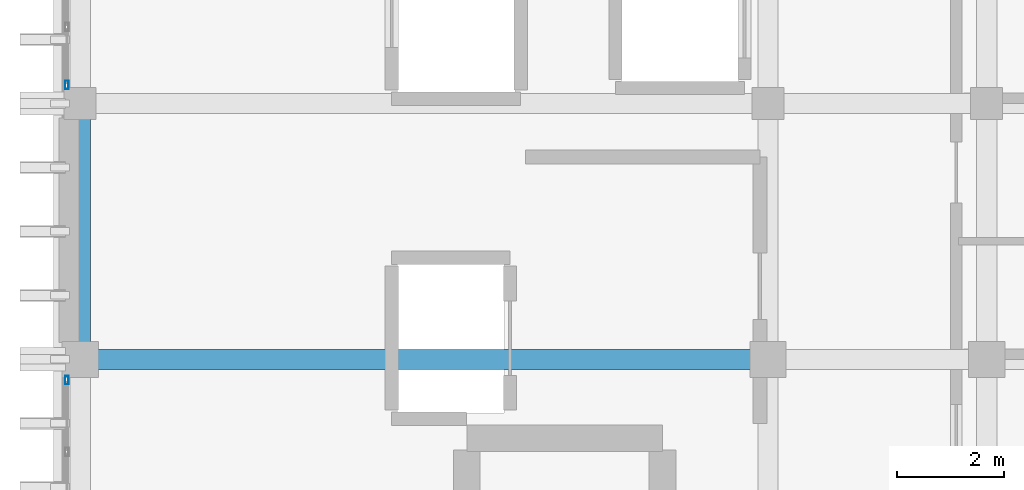
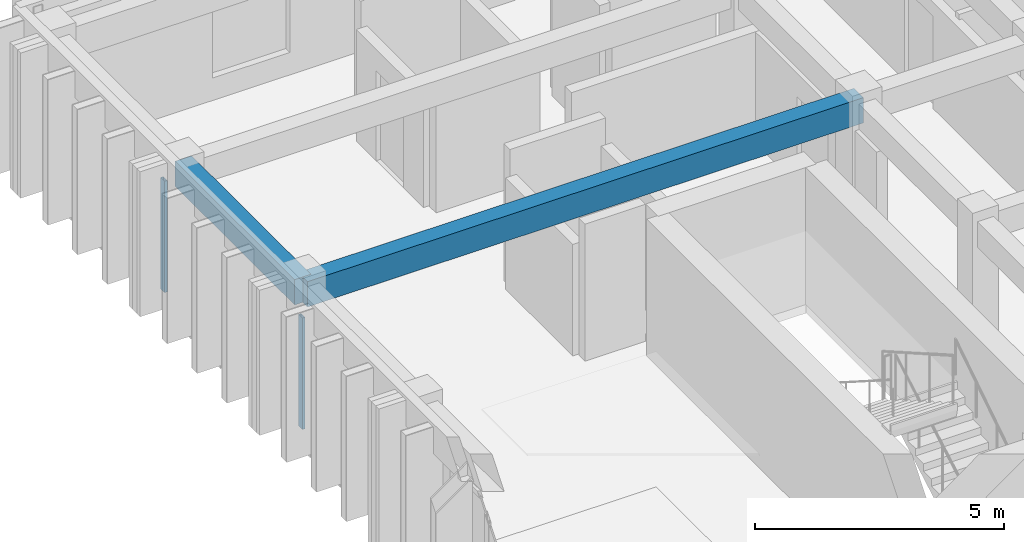
# One storey, part 35 of 53: 2 beams, 2 members, 2 elements without a shape of their own.
"""IFC4 building model written with IfcOpenShell, lengths in metres."""

from ifc_helpers import new_model, si_unit, direction, frame, origin, origin_2d, place, context, subcontext, project, spatial, rectangle, hollow_rectangle, extrude, material, layer, layer_set, material_profile, profile_set, type_object, element, aggregate, save


model = new_model("IFC4")

# Units and contexts
model_context = context("Model", 3, precision=1e-05, world=origin(), true_north=direction((0.0, 1.0)))
body_context = subcontext(model_context, "Body", "Model", "MODEL_VIEW")
ifc_project = project(units=[si_unit("LENGTHUNIT", "METRE"), si_unit("AREAUNIT", "SQUARE_METRE"), si_unit("VOLUMEUNIT", "CUBIC_METRE"), si_unit("PLANEANGLEUNIT", "RADIAN"), si_unit("MASSUNIT", "GRAM", prefix="KILO")], contexts=[model_context])

# Site, building, storey
site_placement = place(None, origin())
site = spatial("IfcSite", under=ifc_project, at=site_placement, CompositionType="ELEMENT")
building_placement = place(site_placement, origin())
building = spatial("IfcBuilding", under=site, at=building_placement, Name="Nakhvara Creek Congress Hotel", CompositionType="ELEMENT")
storey_placement = place(building_placement, frame((0.0, 0.0, 35.39990234375)))
storey = spatial("IfcBuildingStorey", under=building, at=storey_placement, Name="L08", CompositionType="ELEMENT", Elevation=35.39990234375)

# Beams
ifc_material_1 = material(Name="Concrete C40/50", Category="concrete")
ifc_material_profile_1 = material_profile(ifc_material_1, rectangle(XDim=0.3798828125, YDim=0.6201171875, at=origin_2d()), Name="RC-BM 380x620", Category="LoadBearing")
ifc_profile_set_1 = profile_set([ifc_material_profile_1], Name="Concrete C40/50")
beam_type = type_object("IfcBeamType", Name="BM-RC-380X620", PredefinedType="BEAM", material=ifc_profile_set_1)
beam_1_placement = place(storey_placement, frame((149.449951171875, 115.199951171875, 3.050048828125), z_axis=(1.0, 0.0, 0.0), x_axis=(0.0, 1.0, 0.0)))
element("IfcBeam", 1, at=beam_1_placement, inside=storey, type_object=beam_type, Name="Beam B10-L08-2445", PredefinedType="BEAM", context=body_context, shape_type="SweptSolid", body=[
    extrude(rectangle(XDim=0.3798828125, YDim=0.6201171875, at=origin_2d()), origin(), (0.0, 0.0, 1.0), 12.900146484375),
])
beam_2_placement = place(storey_placement, frame((149.449951171875, 115.199951171875, 3.050048828125), z_axis=(0.0, 1.0, 0.0), x_axis=(-1.0, 0.0, 0.0)))
element("IfcBeam", 2, at=beam_2_placement, inside=storey, type_object=beam_type, Name="Beam B10-L08-2447", PredefinedType="BEAM", context=body_context, shape_type="SweptSolid", body=[
    extrude(rectangle(XDim=0.3798828125, YDim=0.6201171875, at=origin_2d()), origin(), (0.0, 0.0, 1.0), 4.800048828125),
])

# Curtain wall, member
ifc_material_2 = material(Name="Bronze-anodised aluminium AW-6063-T6 and double-silver low-E glass", Category="aluminium")
ifc_layer = layer(ifc_material_2, 0.199951171875)
ifc_layer_set = layer_set([ifc_layer], Name="Bronze-anodised aluminium AW-6063-T6 and double-silver low-E glass")
curtain_wall_type = type_object("IfcCurtainWallType", Name="CW-HTL-UNIT", PredefinedType="USERDEFINED", material=ifc_layer_set)
curtain_wall_1_placement = place(storey_placement, origin())
curtain_wall_1 = element("IfcCurtainWall", 3, at=curtain_wall_1_placement, inside=storey, type_object=curtain_wall_type, Name="Curtain Wall CW292", ObjectType="UNITISED", PredefinedType="USERDEFINED")
ifc_material_3 = material(Name="Bronze-anodised aluminium AW-6063-T6", Category="aluminium")
ifc_material_profile_2 = material_profile(ifc_material_3, hollow_rectangle(XDim=0.06494140625, YDim=0.159912109375, WallThickness=0.00390625, at=origin_2d()), Name="ALU-MULL 65x160x4", Category="LoadBearing")
ifc_profile_set_2 = profile_set([ifc_material_profile_2], Name="Bronze-anodised aluminium AW-6063-T6")
member_type = type_object("IfcMemberType", Name="CW-MULL-160", PredefinedType="MULLION", material=ifc_profile_set_2)
member_1_placement = place(storey_placement, frame((149.199951171875, 114.8125, 0.0), z_axis=(0.0, 0.0, 1.0), x_axis=(-1.0, 0.0, 0.0)))
member_1 = element("IfcMember", 4, at=member_1_placement, type_object=member_type, Name="CW292 mullion 4", PredefinedType="MULLION", context=body_context, shape_type="SweptSolid", body=[
    extrude(hollow_rectangle(XDim=0.06494140625, YDim=0.159912109375, WallThickness=0.00390625, at=origin_2d()), origin(), (0.0, 0.0, 1.0), 2.732177734375),
])
aggregate(curtain_wall_1, [member_1])

curtain_wall_2_placement = place(storey_placement, origin())
curtain_wall_2 = element("IfcCurtainWall", 5, at=curtain_wall_2_placement, inside=storey, type_object=curtain_wall_type, Name="Curtain Wall CW294", ObjectType="UNITISED", PredefinedType="USERDEFINED")
member_2_placement = place(storey_placement, frame((149.199951171875, 120.347412109375, 0.0), z_axis=(0.0, 0.0, 1.0), x_axis=(-1.0, 0.0, 0.0)))
member_2 = element("IfcMember", 6, at=member_2_placement, type_object=member_type, Name="CW294 mullion 1", PredefinedType="MULLION", context=body_context, shape_type="SweptSolid", body=[
    extrude(hollow_rectangle(XDim=0.06494140625, YDim=0.159912109375, WallThickness=0.00390625, at=origin_2d()), origin(), (0.0, 0.0, 1.0), 2.732177734375),
])
aggregate(curtain_wall_2, [member_2])

save(model, "model.ifc")
